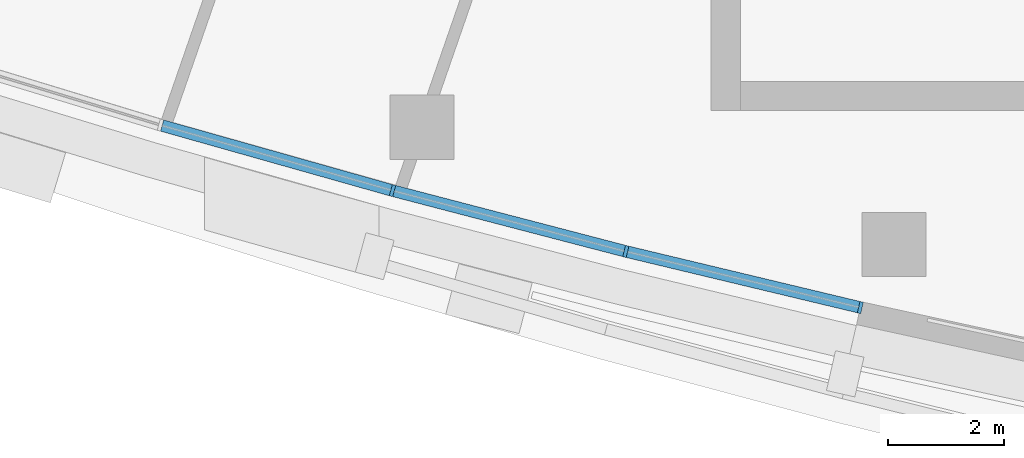
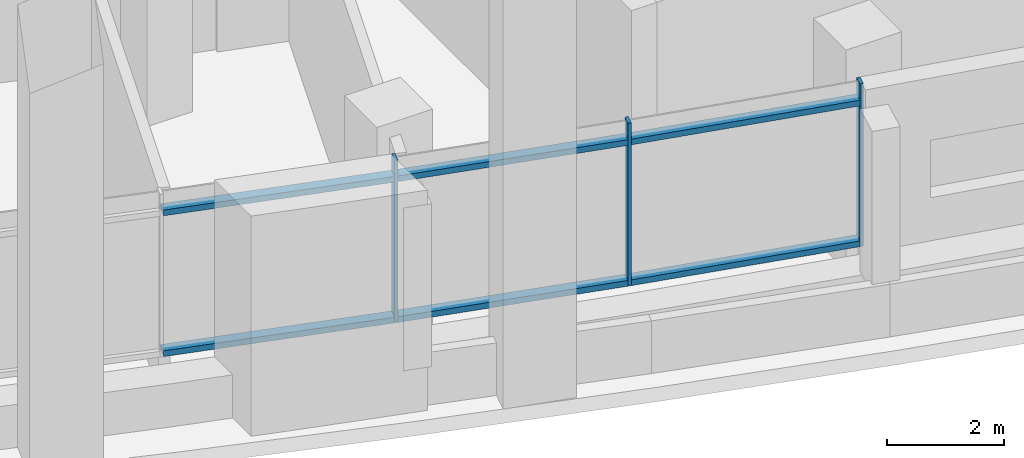
# One storey, part 3 of 15: 9 members, 2 elements without a shape of their own.
"""IFC4 building model written with IfcOpenShell, lengths in metres."""

from ifc_helpers import new_model, si_unit, direction, frame, origin, origin_2d, place, context, subcontext, project, spatial, rectangle, extrude, material, layer, layer_set, material_profile, profile_set, type_object, element, aggregate, save


model = new_model("IFC4")

# Units and contexts
model_context = context("Model", 3, precision=1e-05, world=origin(), true_north=direction((0.0, 1.0)))
body_context = subcontext(model_context, "Body", "Model", "MODEL_VIEW")
ifc_project = project(units=[si_unit("LENGTHUNIT", "METRE"), si_unit("AREAUNIT", "SQUARE_METRE"), si_unit("VOLUMEUNIT", "CUBIC_METRE"), si_unit("PLANEANGLEUNIT", "RADIAN"), si_unit("MASSUNIT", "GRAM", prefix="KILO")], contexts=[model_context])

# Site, building, storey
site_placement = place(None, origin())
site = spatial("IfcSite", under=ifc_project, at=site_placement, CompositionType="ELEMENT")
building_placement = place(site_placement, origin())
building = spatial("IfcBuilding", under=site, at=building_placement, Name="Ostrand Prow Hotel Tower", CompositionType="ELEMENT")
storey_placement = place(building_placement, frame((0.0, 0.0, 263.300048828125)))
storey = spatial("IfcBuildingStorey", under=building, at=storey_placement, Name="L66", CompositionType="ELEMENT", Elevation=263.300048828125)

# Curtain wall, member
ifc_material_1 = material(Name="Insulated glass in bronze anodised frame", Category="glass")
ifc_layer = layer(ifc_material_1, 0.199951171875)
ifc_layer_set = layer_set([ifc_layer], Name="Insulated glass in bronze anodised frame")
curtain_wall_type = type_object("IfcCurtainWallType", Name="Sky lobby full-height curtain wall", PredefinedType="NOTDEFINED", material=ifc_layer_set)
curtain_wall_1_placement = place(storey_placement, origin())
curtain_wall_1 = element("IfcCurtainWall", 1, at=curtain_wall_1_placement, inside=storey, type_object=curtain_wall_type, Name="CW3 run CWS4", PredefinedType="NOTDEFINED")
ifc_material_2 = material(Name="Bronze anodised aluminium", Category="aluminium")
ifc_material_profile_1 = material_profile(ifc_material_2, rectangle(XDim=0.199951171875, YDim=0.06005859375, at=origin_2d()), Name="Mullion 60x200 bronze anodised aluminium")
ifc_profile_set_1 = profile_set([ifc_material_profile_1], Name="Bronze anodised aluminium")
member_type_1 = type_object("IfcMemberType", Name="Mullion 60x200 bronze anodised aluminium", PredefinedType="MULLION", material=ifc_profile_set_1)
member_1_placement = place(storey_placement, frame((44.728515625, -17.626708984375, 0.89990234375), z_axis=(0.0, 0.0, 1.0), x_axis=(0.271648738865, 0.962396468548, 0.0)))
member_1 = element("IfcMember", 2, at=member_1_placement, type_object=member_type_1, Name="CW3 mullion 3", PredefinedType="MULLION", context=body_context, shape_type="SweptSolid", body=[
    extrude(rectangle(XDim=0.199951171875, YDim=0.06005859375, at=origin_2d()), origin(), (0.0, 0.0, 1.0), 3.400146484375),
])

# Curtain wall, members
curtain_wall_2_placement = place(storey_placement, origin())
curtain_wall_2 = element("IfcCurtainWall", 3, at=curtain_wall_2_placement, inside=storey, type_object=curtain_wall_type, Name="CW3 run CWS5", PredefinedType="NOTDEFINED")
member_2_placement = place(storey_placement, frame((48.734619140625, -18.6708984375, 0.89990234375), z_axis=(0.0, 0.0, 1.0), x_axis=(0.232746096028, 0.972537533869, 0.0)))
member_2 = element("IfcMember", 4, at=member_2_placement, type_object=member_type_1, Name="CW3 mullion 2", PredefinedType="MULLION", context=body_context, shape_type="SweptSolid", body=[
    extrude(rectangle(XDim=0.199951171875, YDim=0.06005859375, at=origin_2d()), origin(), (0.0, 0.0, 1.0), 3.400146484375),
])
member_3_placement = place(storey_placement, frame((52.7607421875, -19.634521484375, 0.89990234375), z_axis=(0.0, 0.0, 1.0), x_axis=(0.232746096028, 0.972537533869, 0.0)))
member_3 = element("IfcMember", 5, at=member_3_placement, type_object=member_type_1, Name="CW3 mullion 3", PredefinedType="MULLION", context=body_context, shape_type="SweptSolid", body=[
    extrude(rectangle(XDim=0.199951171875, YDim=0.06005859375, at=origin_2d()), origin(), (0.0, 0.0, 1.0), 3.400146484375),
])

# Member
ifc_material_3 = material(Name="Bronze anodised aluminium", Category="aluminium")
ifc_material_profile_2 = material_profile(ifc_material_3, rectangle(XDim=0.199951171875, YDim=0.1201171875, at=origin_2d()), Name="Transom 120x200 bronze anodised aluminium")
ifc_profile_set_2 = profile_set([ifc_material_profile_2], Name="Bronze anodised aluminium")
member_type_2 = type_object("IfcMemberType", Name="Transom 120x200 bronze anodised aluminium", PredefinedType="USERDEFINED", material=ifc_profile_set_2)
member_4_placement = place(storey_placement, frame((40.7734375, -16.51025390625, 0.9599609375), z_axis=(0.962386308628, -0.271684730828, 0.0), x_axis=(0.271684730828, 0.962386308628, 0.0)))
member_4 = element("IfcMember", 6, at=member_4_placement, type_object=member_type_2, Name="CW3 transom 2.1", ObjectType="TRANSOM", PredefinedType="USERDEFINED", context=body_context, shape_type="SweptSolid", body=[
    extrude(rectangle(XDim=0.199951171875, YDim=0.1201171875, at=origin_2d()), origin(), (0.0, 0.0, 1.0), 4.079833984375),
])

member_5_placement = place(storey_placement, frame((40.7734375, -16.51025390625, 3.89990234375), z_axis=(0.962386308628, -0.271684730828, 0.0), x_axis=(0.271684730828, 0.962386308628, 0.0)))
member_5 = element("IfcMember", 7, at=member_5_placement, type_object=member_type_2, Name="CW3 transom 2.2", ObjectType="TRANSOM", PredefinedType="USERDEFINED", context=body_context, shape_type="SweptSolid", body=[
    extrude(rectangle(XDim=0.199951171875, YDim=0.1201171875, at=origin_2d()), origin(), (0.0, 0.0, 1.0), 4.079833984375),
])

aggregate(curtain_wall_1, [member_1, member_4, member_5])

member_6_placement = place(storey_placement, frame((44.7578125, -17.63427734375, 0.9599609375), z_axis=(0.967664917891, -0.252239185461, 0.0), x_axis=(0.252239185461, 0.967664917891, 0.0)))
member_6 = element("IfcMember", 8, at=member_6_placement, type_object=member_type_2, Name="CW3 transom 1.1", ObjectType="TRANSOM", PredefinedType="USERDEFINED", context=body_context, shape_type="SweptSolid", body=[
    extrude(rectangle(XDim=0.199951171875, YDim=0.1201171875, at=origin_2d()), origin(), (0.0, 0.0, 1.0), 4.07958984375),
])

member_7_placement = place(storey_placement, frame((44.7578125, -17.63427734375, 3.89990234375), z_axis=(0.967664917891, -0.252239185461, 0.0), x_axis=(0.252239185461, 0.967664917891, 0.0)))
member_7 = element("IfcMember", 9, at=member_7_placement, type_object=member_type_2, Name="CW3 transom 1.2", ObjectType="TRANSOM", PredefinedType="USERDEFINED", context=body_context, shape_type="SweptSolid", body=[
    extrude(rectangle(XDim=0.199951171875, YDim=0.1201171875, at=origin_2d()), origin(), (0.0, 0.0, 1.0), 4.07958984375),
])

member_8_placement = place(storey_placement, frame((48.763671875, -18.677978515625, 0.9599609375), z_axis=(0.972542980558, -0.232723335675, 0.0), x_axis=(0.232723335675, 0.972542980558, 0.0)))
member_8 = element("IfcMember", 10, at=member_8_placement, type_object=member_type_2, Name="CW3 transom 2.1", ObjectType="TRANSOM", PredefinedType="USERDEFINED", context=body_context, shape_type="SweptSolid", body=[
    extrude(rectangle(XDim=0.199951171875, YDim=0.1201171875, at=origin_2d()), origin(), (0.0, 0.0, 1.0), 4.079833984375),
])

member_9_placement = place(storey_placement, frame((48.763671875, -18.677978515625, 3.89990234375), z_axis=(0.972542980558, -0.232723335675, 0.0), x_axis=(0.232723335675, 0.972542980558, 0.0)))
member_9 = element("IfcMember", 11, at=member_9_placement, type_object=member_type_2, Name="CW3 transom 2.2", ObjectType="TRANSOM", PredefinedType="USERDEFINED", context=body_context, shape_type="SweptSolid", body=[
    extrude(rectangle(XDim=0.199951171875, YDim=0.1201171875, at=origin_2d()), origin(), (0.0, 0.0, 1.0), 4.079833984375),
])

aggregate(curtain_wall_2, [member_2, member_3, member_6, member_7, member_8, member_9])

save(model, "model.ifc")
